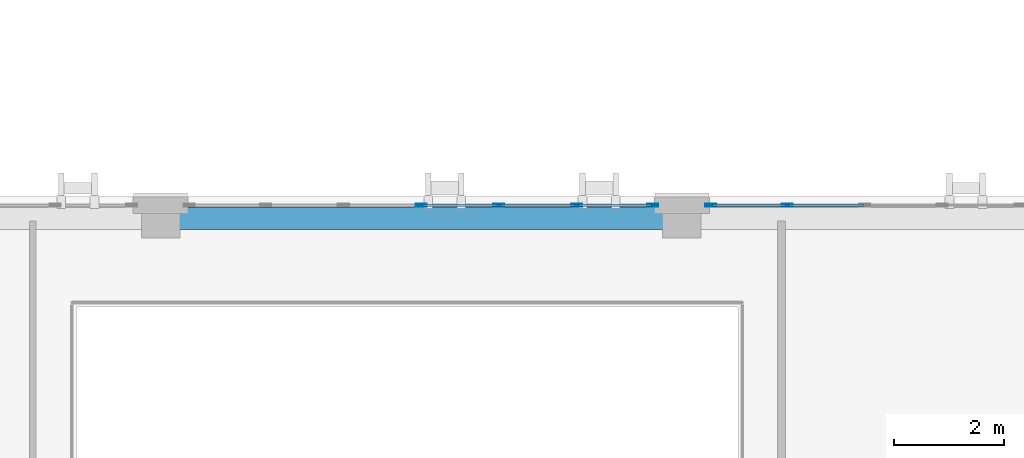
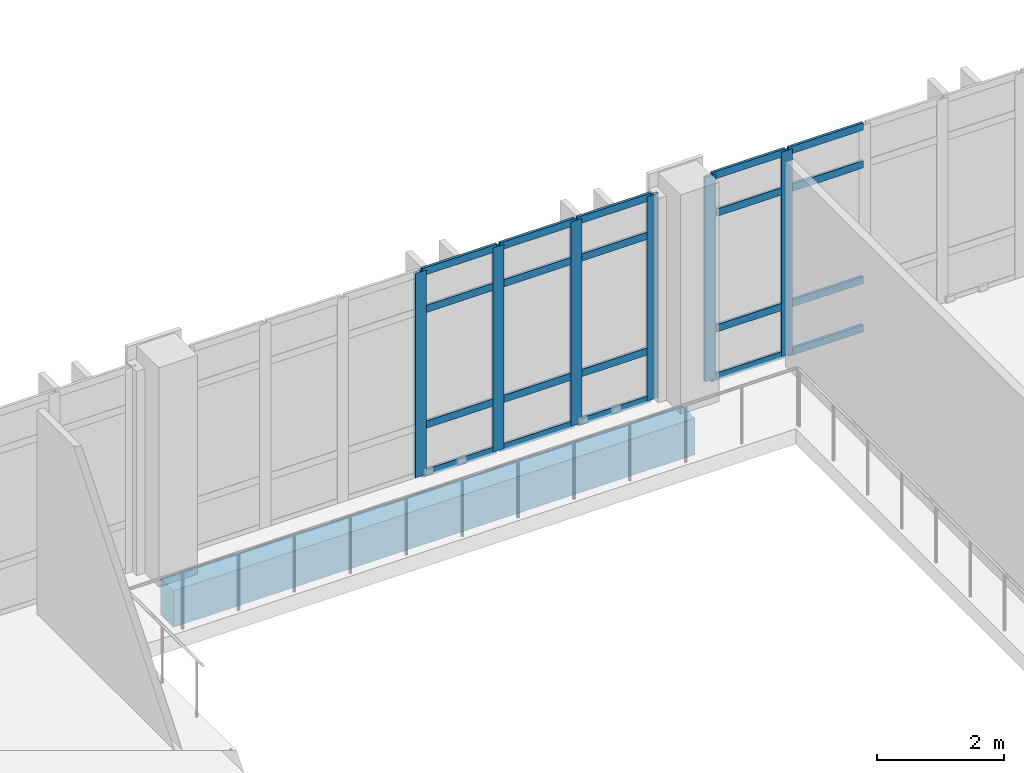
# One storey, part 16 of 193: 26 members, 1 beam, 2 elements without a shape of their own.
"""IFC4 building model written with IfcOpenShell, lengths in metres."""

from ifc_helpers import new_model, si_unit, direction, frame, origin, origin_2d, place, context, subcontext, project, spatial, rectangle, hollow_rectangle, extrude, material, layer, layer_set, material_profile, profile_set, type_object, element, aggregate, save


model = new_model("IFC4")

# Units and contexts
model_context = context("Model", 3, precision=1e-05, world=origin(), true_north=direction((0.0, 1.0)))
body_context = subcontext(model_context, "Body", "Model", "MODEL_VIEW")
ifc_project = project(units=[si_unit("LENGTHUNIT", "METRE"), si_unit("AREAUNIT", "SQUARE_METRE"), si_unit("VOLUMEUNIT", "CUBIC_METRE"), si_unit("PLANEANGLEUNIT", "RADIAN"), si_unit("MASSUNIT", "GRAM", prefix="KILO")], contexts=[model_context])

# Site, building, storey
site_placement = place(None, origin())
site = spatial("IfcSite", under=ifc_project, at=site_placement, CompositionType="ELEMENT")
building_placement = place(site_placement, origin())
building = spatial("IfcBuilding", under=site, at=building_placement, Name="Qalavern Law Courts", CompositionType="ELEMENT")
storey_placement = place(building_placement, frame((0.0, 0.0, 10.199951171875)))
storey = spatial("IfcBuildingStorey", under=building, at=storey_placement, Name="L02", CompositionType="ELEMENT", Elevation=10.199951171875)

# Curtain wall, members
ifc_material_1 = material(Name="Anodised aluminium and insulated glazing", Category="aluminium")
ifc_layer = layer(ifc_material_1, 0.18505859375)
ifc_layer_set = layer_set([ifc_layer], Name="Anodised aluminium and insulated glazing")
curtain_wall_type = type_object("IfcCurtainWallType", Name="ENV-CW-HALL", PredefinedType="USERDEFINED", material=ifc_layer_set)
curtain_wall_1_placement = place(storey_placement, origin())
curtain_wall_1 = element("IfcCurtainWall", 1, at=curtain_wall_1_placement, inside=storey, type_object=curtain_wall_type, Name="V2 unitised curtain wall L02 north 3", ObjectType="UNITISED CURTAIN WALL", PredefinedType="USERDEFINED")
ifc_material_2 = material(Name="Anodised aluminium", Category="aluminium")
ifc_material_profile_1 = material_profile(ifc_material_2, hollow_rectangle(XDim=0.048095703125, YDim=0.199951171875, WallThickness=0.00439453125, at=origin_2d()), Name="ALU MULLION 48x200")
ifc_profile_set_1 = profile_set([ifc_material_profile_1], Name="Anodised aluminium")
member_type_1 = type_object("IfcMemberType", Name="ENV-CWM-48x200", PredefinedType="MULLION", material=ifc_profile_set_1)
member_1_placement = place(storey_placement, frame((64.891845703125, 30.2451171875, 0.0), z_axis=(0.0, 0.0, 1.0), x_axis=(0.0, -1.0, 0.0)))
member_1 = element("IfcMember", 2, at=member_1_placement, type_object=member_type_1, Name="CW-02 mullion 6", PredefinedType="MULLION", context=body_context, shape_type="SweptSolid", body=[
    extrude(hollow_rectangle(XDim=0.048095703125, YDim=0.199951171875, WallThickness=0.00439453125, at=origin_2d()), origin(), (0.0, 0.0, 1.0), 3.9150390625),
])
member_2_placement = place(storey_placement, frame((63.5068359375, 30.2451171875, 0.0), z_axis=(0.0, 0.0, 1.0), x_axis=(0.0, -1.0, 0.0)))
member_2 = element("IfcMember", 3, at=member_2_placement, type_object=member_type_1, Name="CW-02 mullion 7", PredefinedType="MULLION", context=body_context, shape_type="SweptSolid", body=[
    extrude(hollow_rectangle(XDim=0.048095703125, YDim=0.199951171875, WallThickness=0.00439453125, at=origin_2d()), origin(), (0.0, 0.0, 1.0), 3.9150390625),
])

curtain_wall_2_placement = place(storey_placement, origin())
curtain_wall_2 = element("IfcCurtainWall", 4, at=curtain_wall_2_placement, inside=storey, type_object=curtain_wall_type, Name="V2 unitised curtain wall L02 north 4", ObjectType="UNITISED CURTAIN WALL", PredefinedType="USERDEFINED")
member_3_placement = place(storey_placement, frame((62.458984375, 30.2451171875, 0.0), z_axis=(0.0, 0.0, 1.0), x_axis=(0.0, -1.0, 0.0)))
member_3 = element("IfcMember", 5, at=member_3_placement, type_object=member_type_1, Name="CW-02 mullion 1", PredefinedType="MULLION", context=body_context, shape_type="SweptSolid", body=[
    extrude(hollow_rectangle(XDim=0.048095703125, YDim=0.199951171875, WallThickness=0.00439453125, at=origin_2d()), origin(), (0.0, 0.0, 1.0), 3.9150390625),
])
member_4_placement = place(storey_placement, frame((61.07373046875, 30.2451171875, 0.0), z_axis=(0.0, 0.0, 1.0), x_axis=(0.0, -1.0, 0.0)))
member_4 = element("IfcMember", 6, at=member_4_placement, type_object=member_type_1, Name="CW-02 mullion 2", PredefinedType="MULLION", context=body_context, shape_type="SweptSolid", body=[
    extrude(hollow_rectangle(XDim=0.048095703125, YDim=0.199951171875, WallThickness=0.00439453125, at=origin_2d()), origin(), (0.0, 0.0, 1.0), 3.9150390625),
])
member_5_placement = place(storey_placement, frame((59.664794921875, 30.2451171875, 0.0), z_axis=(0.0, 0.0, 1.0), x_axis=(0.0, -1.0, 0.0)))
member_5 = element("IfcMember", 7, at=member_5_placement, type_object=member_type_1, Name="CW-02 mullion 3", PredefinedType="MULLION", context=body_context, shape_type="SweptSolid", body=[
    extrude(hollow_rectangle(XDim=0.048095703125, YDim=0.199951171875, WallThickness=0.00439453125, at=origin_2d()), origin(), (0.0, 0.0, 1.0), 3.9150390625),
])
member_6_placement = place(storey_placement, frame((58.255859375, 30.2451171875, 0.0), z_axis=(0.0, 0.0, 1.0), x_axis=(0.0, -1.0, 0.0)))
member_6 = element("IfcMember", 8, at=member_6_placement, type_object=member_type_1, Name="CW-02 mullion 4", PredefinedType="MULLION", context=body_context, shape_type="SweptSolid", body=[
    extrude(hollow_rectangle(XDim=0.048095703125, YDim=0.199951171875, WallThickness=0.00439453125, at=origin_2d()), origin(), (0.0, 0.0, 1.0), 3.9150390625),
])

# Member
ifc_material_profile_2 = material_profile(ifc_material_2, hollow_rectangle(XDim=0.048095703125, YDim=0.139892578125, WallThickness=0.00390625, at=origin_2d()), Name="ALU TRANSOM 48x140")
ifc_profile_set_2 = profile_set([ifc_material_profile_2], Name="Anodised aluminium")
member_type_2 = type_object("IfcMemberType", Name="ENV-CWT-48x140", PredefinedType="USERDEFINED", material=ifc_profile_set_2)
member_7_placement = place(storey_placement, frame((66.27685546875, 30.2451171875, 0.024169921875), z_axis=(-1.0, 0.0, 0.0), x_axis=(0.0, -1.0, 0.0)))
member_7 = element("IfcMember", 9, at=member_7_placement, type_object=member_type_2, Name="CW-02 transom 5.1", ObjectType="TRANSOM", PredefinedType="USERDEFINED", context=body_context, shape_type="SweptSolid", body=[
    extrude(hollow_rectangle(XDim=0.048095703125, YDim=0.139892578125, WallThickness=0.00390625, at=origin_2d()), origin(), (0.0, 0.0, 1.0), 1.36083984375),
])

member_8_placement = place(storey_placement, frame((66.27685546875, 30.2451171875, 0.949951171875), z_axis=(-1.0, 0.0, 0.0), x_axis=(0.0, -1.0, 0.0)))
member_8 = element("IfcMember", 10, at=member_8_placement, type_object=member_type_2, Name="CW-02 transom 5.2", ObjectType="TRANSOM", PredefinedType="USERDEFINED", context=body_context, shape_type="SweptSolid", body=[
    extrude(hollow_rectangle(XDim=0.048095703125, YDim=0.139892578125, WallThickness=0.00390625, at=origin_2d()), origin(), (0.0, 0.0, 1.0), 1.36083984375),
])

member_9_placement = place(storey_placement, frame((66.27685546875, 30.2451171875, 3.1650390625), z_axis=(-1.0, 0.0, 0.0), x_axis=(0.0, -1.0, 0.0)))
member_9 = element("IfcMember", 11, at=member_9_placement, type_object=member_type_2, Name="CW-02 transom 5.3", ObjectType="TRANSOM", PredefinedType="USERDEFINED", context=body_context, shape_type="SweptSolid", body=[
    extrude(hollow_rectangle(XDim=0.048095703125, YDim=0.139892578125, WallThickness=0.00390625, at=origin_2d()), origin(), (0.0, 0.0, 1.0), 1.36083984375),
])

member_10_placement = place(storey_placement, frame((66.27685546875, 30.2451171875, 3.89111328125), z_axis=(-1.0, 0.0, 0.0), x_axis=(0.0, -1.0, 0.0)))
member_10 = element("IfcMember", 12, at=member_10_placement, type_object=member_type_2, Name="CW-02 transom 5.4", ObjectType="TRANSOM", PredefinedType="USERDEFINED", context=body_context, shape_type="SweptSolid", body=[
    extrude(hollow_rectangle(XDim=0.048095703125, YDim=0.139892578125, WallThickness=0.00390625, at=origin_2d()), origin(), (0.0, 0.0, 1.0), 1.36083984375),
])

member_11_placement = place(storey_placement, frame((64.867919921875, 30.2451171875, 0.024169921875), z_axis=(-1.0, 0.0, 0.0), x_axis=(0.0, -1.0, 0.0)))
member_11 = element("IfcMember", 13, at=member_11_placement, type_object=member_type_2, Name="CW-02 transom 6.1", ObjectType="TRANSOM", PredefinedType="USERDEFINED", context=body_context, shape_type="SweptSolid", body=[
    extrude(hollow_rectangle(XDim=0.048095703125, YDim=0.139892578125, WallThickness=0.00390625, at=origin_2d()), origin(), (0.0, 0.0, 1.0), 1.3369140625),
])

member_12_placement = place(storey_placement, frame((64.867919921875, 30.2451171875, 0.949951171875), z_axis=(-1.0, 0.0, 0.0), x_axis=(0.0, -1.0, 0.0)))
member_12 = element("IfcMember", 14, at=member_12_placement, type_object=member_type_2, Name="CW-02 transom 6.2", ObjectType="TRANSOM", PredefinedType="USERDEFINED", context=body_context, shape_type="SweptSolid", body=[
    extrude(hollow_rectangle(XDim=0.048095703125, YDim=0.139892578125, WallThickness=0.00390625, at=origin_2d()), origin(), (0.0, 0.0, 1.0), 1.3369140625),
])

member_13_placement = place(storey_placement, frame((64.867919921875, 30.2451171875, 3.1650390625), z_axis=(-1.0, 0.0, 0.0), x_axis=(0.0, -1.0, 0.0)))
member_13 = element("IfcMember", 15, at=member_13_placement, type_object=member_type_2, Name="CW-02 transom 6.3", ObjectType="TRANSOM", PredefinedType="USERDEFINED", context=body_context, shape_type="SweptSolid", body=[
    extrude(hollow_rectangle(XDim=0.048095703125, YDim=0.139892578125, WallThickness=0.00390625, at=origin_2d()), origin(), (0.0, 0.0, 1.0), 1.3369140625),
])

member_14_placement = place(storey_placement, frame((64.867919921875, 30.2451171875, 3.89111328125), z_axis=(-1.0, 0.0, 0.0), x_axis=(0.0, -1.0, 0.0)))
member_14 = element("IfcMember", 16, at=member_14_placement, type_object=member_type_2, Name="CW-02 transom 6.4", ObjectType="TRANSOM", PredefinedType="USERDEFINED", context=body_context, shape_type="SweptSolid", body=[
    extrude(hollow_rectangle(XDim=0.048095703125, YDim=0.139892578125, WallThickness=0.00390625, at=origin_2d()), origin(), (0.0, 0.0, 1.0), 1.3369140625),
])

aggregate(curtain_wall_1, [member_1, member_2, member_7, member_8, member_9, member_10, member_11, member_12, member_13, member_14])

member_15_placement = place(storey_placement, frame((62.434814453125, 30.2451171875, 0.024169921875), z_axis=(-1.0, 0.0, 0.0), x_axis=(0.0, -1.0, 0.0)))
member_15 = element("IfcMember", 17, at=member_15_placement, type_object=member_type_2, Name="CW-02 transom 1.1", ObjectType="TRANSOM", PredefinedType="USERDEFINED", context=body_context, shape_type="SweptSolid", body=[
    extrude(hollow_rectangle(XDim=0.048095703125, YDim=0.139892578125, WallThickness=0.00390625, at=origin_2d()), origin(), (0.0, 0.0, 1.0), 1.3369140625),
])

member_16_placement = place(storey_placement, frame((62.434814453125, 30.2451171875, 0.949951171875), z_axis=(-1.0, 0.0, 0.0), x_axis=(0.0, -1.0, 0.0)))
member_16 = element("IfcMember", 18, at=member_16_placement, type_object=member_type_2, Name="CW-02 transom 1.2", ObjectType="TRANSOM", PredefinedType="USERDEFINED", context=body_context, shape_type="SweptSolid", body=[
    extrude(hollow_rectangle(XDim=0.048095703125, YDim=0.139892578125, WallThickness=0.00390625, at=origin_2d()), origin(), (0.0, 0.0, 1.0), 1.3369140625),
])

member_17_placement = place(storey_placement, frame((62.434814453125, 30.2451171875, 3.1650390625), z_axis=(-1.0, 0.0, 0.0), x_axis=(0.0, -1.0, 0.0)))
member_17 = element("IfcMember", 19, at=member_17_placement, type_object=member_type_2, Name="CW-02 transom 1.3", ObjectType="TRANSOM", PredefinedType="USERDEFINED", context=body_context, shape_type="SweptSolid", body=[
    extrude(hollow_rectangle(XDim=0.048095703125, YDim=0.139892578125, WallThickness=0.00390625, at=origin_2d()), origin(), (0.0, 0.0, 1.0), 1.3369140625),
])

member_18_placement = place(storey_placement, frame((62.434814453125, 30.2451171875, 3.89111328125), z_axis=(-1.0, 0.0, 0.0), x_axis=(0.0, -1.0, 0.0)))
member_18 = element("IfcMember", 20, at=member_18_placement, type_object=member_type_2, Name="CW-02 transom 1.4", ObjectType="TRANSOM", PredefinedType="USERDEFINED", context=body_context, shape_type="SweptSolid", body=[
    extrude(hollow_rectangle(XDim=0.048095703125, YDim=0.139892578125, WallThickness=0.00390625, at=origin_2d()), origin(), (0.0, 0.0, 1.0), 1.3369140625),
])

member_19_placement = place(storey_placement, frame((61.0498046875, 30.2451171875, 0.024169921875), z_axis=(-1.0, 0.0, 0.0), x_axis=(0.0, -1.0, 0.0)))
member_19 = element("IfcMember", 21, at=member_19_placement, type_object=member_type_2, Name="CW-02 transom 2.1", ObjectType="TRANSOM", PredefinedType="USERDEFINED", context=body_context, shape_type="SweptSolid", body=[
    extrude(hollow_rectangle(XDim=0.048095703125, YDim=0.139892578125, WallThickness=0.00390625, at=origin_2d()), origin(), (0.0, 0.0, 1.0), 1.361083984375),
])

member_20_placement = place(storey_placement, frame((61.0498046875, 30.2451171875, 0.949951171875), z_axis=(-1.0, 0.0, 0.0), x_axis=(0.0, -1.0, 0.0)))
member_20 = element("IfcMember", 22, at=member_20_placement, type_object=member_type_2, Name="CW-02 transom 2.2", ObjectType="TRANSOM", PredefinedType="USERDEFINED", context=body_context, shape_type="SweptSolid", body=[
    extrude(hollow_rectangle(XDim=0.048095703125, YDim=0.139892578125, WallThickness=0.00390625, at=origin_2d()), origin(), (0.0, 0.0, 1.0), 1.361083984375),
])

member_21_placement = place(storey_placement, frame((61.0498046875, 30.2451171875, 3.1650390625), z_axis=(-1.0, 0.0, 0.0), x_axis=(0.0, -1.0, 0.0)))
member_21 = element("IfcMember", 23, at=member_21_placement, type_object=member_type_2, Name="CW-02 transom 2.3", ObjectType="TRANSOM", PredefinedType="USERDEFINED", context=body_context, shape_type="SweptSolid", body=[
    extrude(hollow_rectangle(XDim=0.048095703125, YDim=0.139892578125, WallThickness=0.00390625, at=origin_2d()), origin(), (0.0, 0.0, 1.0), 1.361083984375),
])

member_22_placement = place(storey_placement, frame((61.0498046875, 30.2451171875, 3.89111328125), z_axis=(-1.0, 0.0, 0.0), x_axis=(0.0, -1.0, 0.0)))
member_22 = element("IfcMember", 24, at=member_22_placement, type_object=member_type_2, Name="CW-02 transom 2.4", ObjectType="TRANSOM", PredefinedType="USERDEFINED", context=body_context, shape_type="SweptSolid", body=[
    extrude(hollow_rectangle(XDim=0.048095703125, YDim=0.139892578125, WallThickness=0.00390625, at=origin_2d()), origin(), (0.0, 0.0, 1.0), 1.361083984375),
])

member_23_placement = place(storey_placement, frame((59.640869140625, 30.2451171875, 0.024169921875), z_axis=(-1.0, 0.0, 0.0), x_axis=(0.0, -1.0, 0.0)))
member_23 = element("IfcMember", 25, at=member_23_placement, type_object=member_type_2, Name="CW-02 transom 3.1", ObjectType="TRANSOM", PredefinedType="USERDEFINED", context=body_context, shape_type="SweptSolid", body=[
    extrude(hollow_rectangle(XDim=0.048095703125, YDim=0.139892578125, WallThickness=0.00390625, at=origin_2d()), origin(), (0.0, 0.0, 1.0), 1.361083984375),
])

member_24_placement = place(storey_placement, frame((59.640869140625, 30.2451171875, 0.949951171875), z_axis=(-1.0, 0.0, 0.0), x_axis=(0.0, -1.0, 0.0)))
member_24 = element("IfcMember", 26, at=member_24_placement, type_object=member_type_2, Name="CW-02 transom 3.2", ObjectType="TRANSOM", PredefinedType="USERDEFINED", context=body_context, shape_type="SweptSolid", body=[
    extrude(hollow_rectangle(XDim=0.048095703125, YDim=0.139892578125, WallThickness=0.00390625, at=origin_2d()), origin(), (0.0, 0.0, 1.0), 1.361083984375),
])

member_25_placement = place(storey_placement, frame((59.640869140625, 30.2451171875, 3.1650390625), z_axis=(-1.0, 0.0, 0.0), x_axis=(0.0, -1.0, 0.0)))
member_25 = element("IfcMember", 27, at=member_25_placement, type_object=member_type_2, Name="CW-02 transom 3.3", ObjectType="TRANSOM", PredefinedType="USERDEFINED", context=body_context, shape_type="SweptSolid", body=[
    extrude(hollow_rectangle(XDim=0.048095703125, YDim=0.139892578125, WallThickness=0.00390625, at=origin_2d()), origin(), (0.0, 0.0, 1.0), 1.361083984375),
])

member_26_placement = place(storey_placement, frame((59.640869140625, 30.2451171875, 3.89111328125), z_axis=(-1.0, 0.0, 0.0), x_axis=(0.0, -1.0, 0.0)))
member_26 = element("IfcMember", 28, at=member_26_placement, type_object=member_type_2, Name="CW-02 transom 3.4", ObjectType="TRANSOM", PredefinedType="USERDEFINED", context=body_context, shape_type="SweptSolid", body=[
    extrude(hollow_rectangle(XDim=0.048095703125, YDim=0.139892578125, WallThickness=0.00390625, at=origin_2d()), origin(), (0.0, 0.0, 1.0), 1.361083984375),
])

aggregate(curtain_wall_2, [member_3, member_4, member_5, member_6, member_15, member_16, member_17, member_18, member_19, member_20, member_21, member_22, member_23, member_24, member_25, member_26])

# Beam
ifc_material_3 = material(Name="Concrete C40/50", Category="concrete")
ifc_material_profile_3 = material_profile(ifc_material_3, rectangle(XDim=0.39990234375, YDim=0.699951171875, at=origin_2d()), Name="RC 400x700")
ifc_profile_set_3 = profile_set([ifc_material_profile_3], Name="Concrete C40/50")
beam_type = type_object("IfcBeamType", Name="STR-SP-RC400x700", PredefinedType="SPANDREL", material=ifc_profile_set_3)
beam_placement = place(storey_placement, frame((53.528564453125, 30.0, -0.639892578125), z_axis=(1.0, 0.0, 0.0), x_axis=(0.0, 1.0, 0.0)))
element("IfcBeam", 29, at=beam_placement, inside=storey, type_object=beam_type, Name="V2 X-beam 4-3 L02", PredefinedType="SPANDREL", context=body_context, shape_type="SweptSolid", body=[
    extrude(rectangle(XDim=0.39990234375, YDim=0.699951171875, at=origin_2d()), origin(), (0.0, 0.0, 1.0), 9.454345703125),
])

save(model, "model.ifc")
